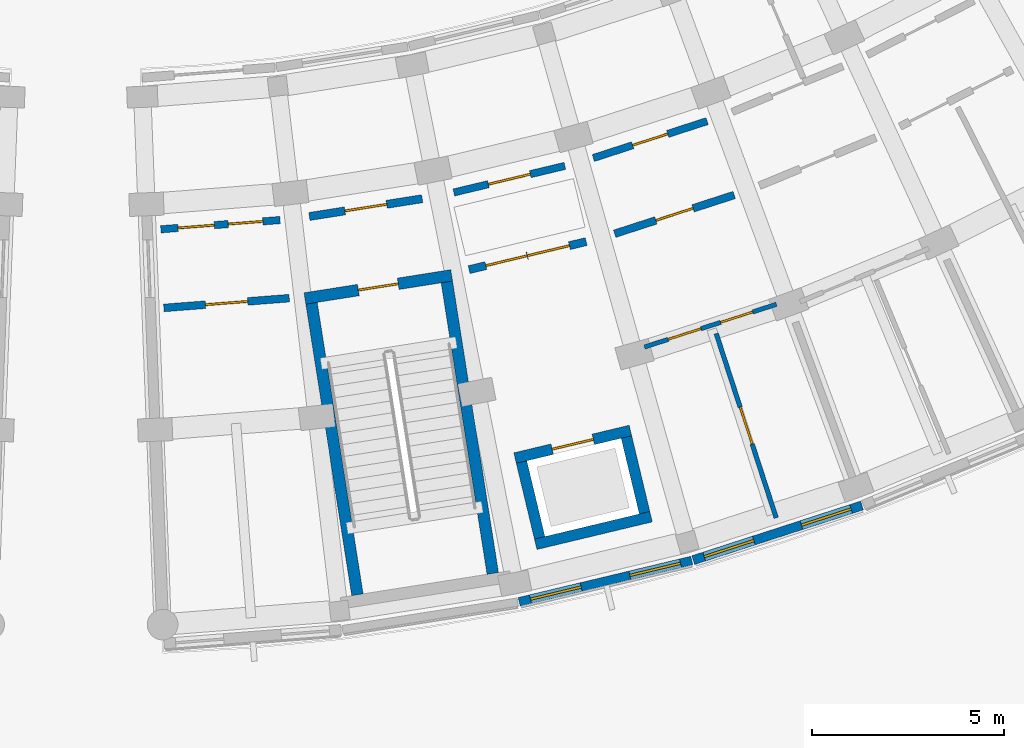
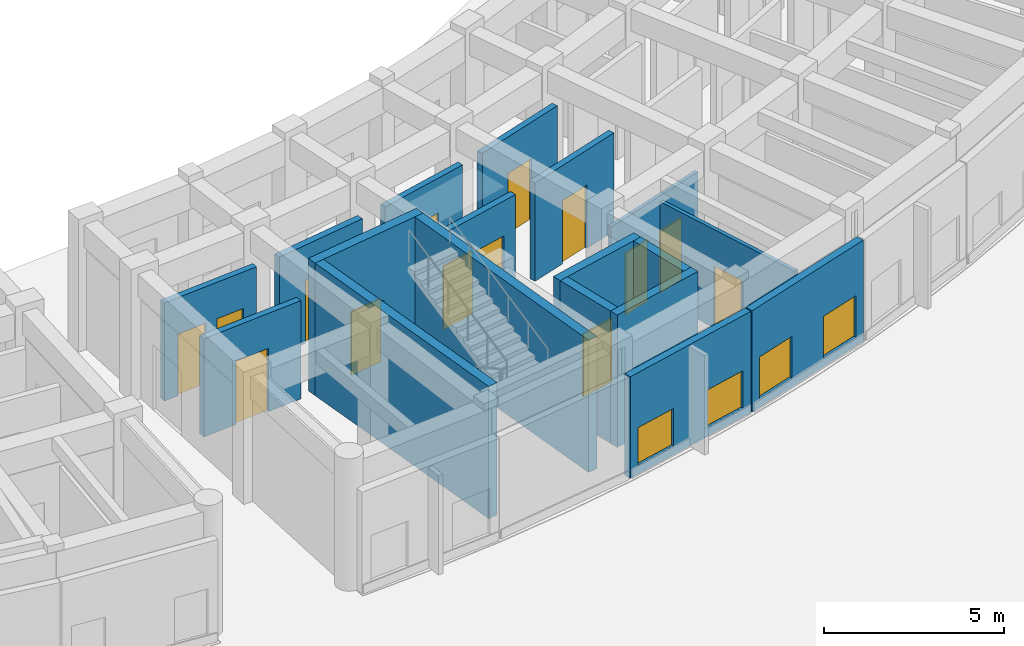
# One storey, part 42 of 61: 18 walls, 14 doors, 4 windows, 18 openings.
"""IFC4 building model written with IfcOpenShell, lengths in metres."""

from ifc_helpers import new_model, si_unit, direction, frame, frame_2d, origin, place, context, subcontext, project, spatial, rectangle, extrude, material, layer, layer_set, type_object, element, fill, save


model = new_model("IFC4")

# Units and contexts
model_context = context("Model", 3, precision=1e-05, world=origin(), true_north=direction((0.0, 1.0)))
body_context = subcontext(model_context, "Body", "Model", "MODEL_VIEW")
ifc_project = project(units=[si_unit("LENGTHUNIT", "METRE"), si_unit("AREAUNIT", "SQUARE_METRE"), si_unit("VOLUMEUNIT", "CUBIC_METRE"), si_unit("PLANEANGLEUNIT", "RADIAN"), si_unit("MASSUNIT", "GRAM", prefix="KILO")], contexts=[model_context])

# Site, building, storey
site_placement = place(None, origin())
site = spatial("IfcSite", under=ifc_project, at=site_placement, CompositionType="ELEMENT")
building_placement = place(site_placement, origin())
building = spatial("IfcBuilding", under=site, at=building_placement, Name="Zimvara Arc Housing Community", CompositionType="ELEMENT")
storey_placement = place(building_placement, origin())
storey = spatial("IfcBuildingStorey", under=building, at=storey_placement, Name="L00", CompositionType="ELEMENT", Elevation=0.0)

# Wall, openings, windows
ifc_material_1 = material(Name="Board-Marked Fair-Faced Concrete C35/45", Category="concrete")
ifc_layer_1 = layer(ifc_material_1, 0.22998046875)
ifc_layer_set_1 = layer_set([ifc_layer_1], Name="Board-Marked Fair-Faced Concrete C35/45")
wall_type_1 = type_object("IfcWallType", Name="EWL-CONC-230", PredefinedType="SOLIDWALL", material=ifc_layer_set_1)
wall_1_placement = place(storey_placement, frame((137.533203125, 51.615478515625, 0.0), z_axis=(0.0, 0.0, 1.0), x_axis=(0.972571099607, 0.232605795735, 0.0)))
wall_1 = element("IfcWall", 1, at=wall_1_placement, inside=storey, type_object=wall_type_1, Name="ewall:blkD:L00:out:b2", PredefinedType="SOLIDWALL", context=body_context, shape_type="SweptSolid", body=[
    extrude(rectangle(XDim=4.622314453125, YDim=0.22998046875, at=frame_2d((2.31103515625, 0.0))), origin(), (0.0, 0.0, 1.0), 3.449951171875),
])
opening_1_placement = place(wall_1_placement, frame((0.300048828125, 0.0, 0.300048828125)))
opening_1 = element("IfcOpeningElement", 2, at=opening_1_placement, cuts=wall_1, Name="Opening W42", PredefinedType="OPENING", context=body_context, shape_type="SweptSolid", body=[
    extrude(rectangle(XDim=1.360107421875, YDim=1.280029296875, at=frame_2d((0.68017578125, 0.64013671875))), frame((0.0, 0.125, 0.0), z_axis=(0.0, -1.0, 0.0), x_axis=(1.0, 0.0, 0.0)), (0.0, 0.0, 1.0), 0.25),
])
opening_2_placement = place(wall_1_placement, frame((2.96240234375, 0.0, 0.300048828125)))
opening_2 = element("IfcOpeningElement", 3, at=opening_2_placement, cuts=wall_1, Name="Opening W42", PredefinedType="OPENING", context=body_context, shape_type="SweptSolid", body=[
    extrude(rectangle(XDim=1.360107421875, YDim=1.280029296875, at=frame_2d((0.68017578125, 0.64013671875))), frame((0.0, 0.125, 0.0), z_axis=(0.0, -1.0, 0.0), x_axis=(1.0, 0.0, 0.0)), (0.0, 0.0, 1.0), 0.25),
])
ifc_material_2 = material(Name="Solar Control Low-E Double Glazing", Category="glass")
window_type_1 = type_object("IfcWindowType", Name="WIN-MOD-1360x1280", PartitioningType="DOUBLE_PANEL_VERTICAL", PredefinedType="WINDOW", material=ifc_material_2)
window_1_placement = place(opening_1_placement, origin())
window_1 = element("IfcWindow", 4, at=window_1_placement, inside=storey, type_object=window_type_1, Name="win:blkD:L00:out:b2:1", OverallHeight=1.280029296875, OverallWidth=1.360107421875, PartitioningType="DOUBLE_PANEL_VERTICAL", PredefinedType="WINDOW", context=body_context, shape_type="SweptSolid", body=[
    extrude(rectangle(XDim=1.360107421875, YDim=1.280029296875, at=frame_2d((0.68017578125, 0.64013671875))), frame((0.0, 0.030029296875, 0.0), z_axis=(0.0, -1.0, 0.0), x_axis=(1.0, 0.0, 0.0)), (0.0, 0.0, 1.0), 0.06005859375),
])
fill(opening_1, window_1)
window_2_placement = place(opening_2_placement, origin())
window_2 = element("IfcWindow", 5, at=window_2_placement, inside=storey, type_object=window_type_1, Name="win:blkD:L00:out:b2:2", OverallHeight=1.280029296875, OverallWidth=1.360107421875, PartitioningType="DOUBLE_PANEL_VERTICAL", PredefinedType="WINDOW", context=body_context, shape_type="SweptSolid", body=[
    extrude(rectangle(XDim=1.360107421875, YDim=1.280029296875, at=frame_2d((0.68017578125, 0.64013671875))), frame((0.0, 0.030029296875, 0.0), z_axis=(0.0, -1.0, 0.0), x_axis=(1.0, 0.0, 0.0)), (0.0, 0.0, 1.0), 0.06005859375),
])
fill(opening_2, window_2)

ifc_material_3 = material(Name="Board-Marked Fair-Faced Concrete C35/45", Category="concrete")
ifc_layer_2 = layer(ifc_material_3, 0.239990234375)
ifc_layer_set_2 = layer_set([ifc_layer_2], Name="Board-Marked Fair-Faced Concrete C35/45")
wall_type_2 = type_object("IfcWallType", Name="EWL-CONC-240", PredefinedType="SOLIDWALL", material=ifc_layer_set_2)
wall_2_placement = place(storey_placement, frame((142.0673828125, 52.701416015625, 0.0), z_axis=(0.0, 0.0, 1.0), x_axis=(0.951311584867, 0.308230868826, 0.0)))
wall_2 = element("IfcWall", 6, at=wall_2_placement, inside=storey, type_object=wall_type_2, Name="ewall:blkD:L00:out:b3", PredefinedType="SOLIDWALL", context=body_context, shape_type="SweptSolid", body=[
    extrude(rectangle(XDim=4.62255859375, YDim=0.239990234375, at=frame_2d((2.311279296875, 0.0))), origin(), (0.0, 0.0, 1.0), 3.449951171875),
])
opening_3_placement = place(wall_2_placement, frame((0.300048828125, 0.0, 0.300048828125)))
opening_3 = element("IfcOpeningElement", 7, at=opening_3_placement, cuts=wall_2, Name="Opening W43", PredefinedType="OPENING", context=body_context, shape_type="SweptSolid", body=[
    extrude(rectangle(XDim=1.360107421875, YDim=1.419921875, at=frame_2d((0.68017578125, 0.7099609375))), frame((0.0, 0.1298828125, 0.0), z_axis=(0.0, -1.0, 0.0), x_axis=(1.0, 0.0, 0.0)), (0.0, 0.0, 1.0), 0.260009765625),
])
opening_4_placement = place(wall_2_placement, frame((2.96240234375, 0.0, 0.300048828125)))
opening_4 = element("IfcOpeningElement", 8, at=opening_4_placement, cuts=wall_2, Name="Opening W43", PredefinedType="OPENING", context=body_context, shape_type="SweptSolid", body=[
    extrude(rectangle(XDim=1.360107421875, YDim=1.419921875, at=frame_2d((0.68017578125, 0.7099609375))), frame((0.0, 0.1298828125, 0.0), z_axis=(0.0, -1.0, 0.0), x_axis=(1.0, 0.0, 0.0)), (0.0, 0.0, 1.0), 0.260009765625),
])
ifc_material_4 = material(Name="Solar Control Low-E Double Glazing", Category="glass")
window_type_2 = type_object("IfcWindowType", Name="WIN-MOD-1360x1420", PartitioningType="DOUBLE_PANEL_VERTICAL", PredefinedType="WINDOW", material=ifc_material_4)
window_3_placement = place(opening_3_placement, origin())
window_3 = element("IfcWindow", 9, at=window_3_placement, inside=storey, type_object=window_type_2, Name="win:blkD:L00:out:b3:1", OverallHeight=1.419921875, OverallWidth=1.360107421875, PartitioningType="DOUBLE_PANEL_VERTICAL", PredefinedType="WINDOW", context=body_context, shape_type="SweptSolid", body=[
    extrude(rectangle(XDim=1.360107421875, YDim=1.419921875, at=frame_2d((0.68017578125, 0.7099609375))), frame((0.0, 0.030029296875, 0.0), z_axis=(0.0, -1.0, 0.0), x_axis=(1.0, 0.0, 0.0)), (0.0, 0.0, 1.0), 0.06005859375),
])
fill(opening_3, window_3)
window_4_placement = place(opening_4_placement, origin())
window_4 = element("IfcWindow", 10, at=window_4_placement, inside=storey, type_object=window_type_2, Name="win:blkD:L00:out:b3:2", OverallHeight=1.419921875, OverallWidth=1.360107421875, PartitioningType="DOUBLE_PANEL_VERTICAL", PredefinedType="WINDOW", context=body_context, shape_type="SweptSolid", body=[
    extrude(rectangle(XDim=1.360107421875, YDim=1.419921875, at=frame_2d((0.68017578125, 0.7099609375))), frame((0.0, 0.030029296875, 0.0), z_axis=(0.0, -1.0, 0.0), x_axis=(1.0, 0.0, 0.0)), (0.0, 0.0, 1.0), 0.06005859375),
])
fill(opening_4, window_4)

# Wall, opening, door
ifc_material_5 = material(Name="Concrete C35/45", Category="concrete")
ifc_layer_3 = layer(ifc_material_5, 0.2099609375)
ifc_layer_set_3 = layer_set([ifc_layer_3], Name="Concrete C35/45")
wall_type_3 = type_object("IfcWallType", Name="IWL-CCF-210", PredefinedType="SOLIDWALL", material=ifc_layer_set_3)
wall_3_placement = place(storey_placement, frame((132.065185546875, 61.6572265625, 0.0), z_axis=(0.0, 0.0, 1.0), x_axis=(0.987816121487, 0.155625544594, 0.0)))
wall_3 = element("IfcWall", 11, at=wall_3_placement, inside=storey, type_object=wall_type_3, Name="iwall:blkD:L00:ccf_div:b1", PredefinedType="SOLIDWALL", context=body_context, shape_type="SweptSolid", body=[
    extrude(rectangle(XDim=2.97607421875, YDim=0.2099609375, at=frame_2d((1.488037109375, 0.0))), origin(), (0.0, 0.0, 1.0), 3.340087890625),
])
opening_5_placement = place(wall_3_placement, frame((0.93798828125, 0.0, 0.0)))
opening_5 = element("IfcOpeningElement", 12, at=opening_5_placement, cuts=wall_3, Name="Opening FD-CCF1", PredefinedType="OPENING", context=body_context, shape_type="SweptSolid", body=[
    extrude(rectangle(XDim=1.10009765625, YDim=2.14990234375, at=frame_2d((0.550048828125, 1.074951171875))), frame((0.0, 0.114990234375, 0.0), z_axis=(0.0, -1.0, 0.0), x_axis=(1.0, 0.0, 0.0)), (0.0, 0.0, 1.0), 0.22998046875),
])
ifc_material_6 = material(Name="Anodised Aluminium AW-6063", Category="aluminium")
door_type_1 = type_object("IfcDoorType", Name="IDR-CCF-1100x2150", OperationType="NOTDEFINED", PredefinedType="DOOR", material=ifc_material_6)
door_1_placement = place(opening_5_placement, origin())
door_1 = element("IfcDoor", 13, at=door_1_placement, inside=storey, type_object=door_type_1, Name="idoor:blkD:L00:ccf_in:b1", OperationType="SINGLE_SWING_RIGHT", OverallHeight=2.14990234375, OverallWidth=1.10009765625, PredefinedType="DOOR", context=body_context, shape_type="SweptSolid", body=[
    extrude(rectangle(XDim=1.10009765625, YDim=2.14990234375, at=frame_2d((0.550048828125, 1.074951171875))), frame((0.0, 0.02490234375, 0.0), z_axis=(0.0, -1.0, 0.0), x_axis=(1.0, 0.0, 0.0)), (0.0, 0.0, 1.0), 0.050048828125),
])
fill(opening_5, door_1)

# Wall, openings, doors
wall_4_placement = place(storey_placement, frame((136.2265625, 60.272216796875, 0.0), z_axis=(0.0, 0.0, 1.0), x_axis=(0.972564346632, 0.232634029456, 0.0)))
wall_4 = element("IfcWall", 14, at=wall_4_placement, inside=storey, type_object=wall_type_3, Name="iwall:blkD:L00:ll_div:b2", PredefinedType="SOLIDWALL", context=body_context, shape_type="SweptSolid", body=[
    extrude(rectangle(XDim=3.136962890625, YDim=0.2099609375, at=frame_2d((1.568359375, 0.0))), origin(), (0.0, 0.0, 1.0), 3.340087890625),
])
opening_6_placement = place(wall_4_placement, frame((0.449951171875, 0.0, 0.0)))
opening_6 = element("IfcOpeningElement", 15, at=opening_6_placement, cuts=wall_4, Name="Opening FD-CCF1", PredefinedType="OPENING", context=body_context, shape_type="SweptSolid", body=[
    extrude(rectangle(XDim=1.10009765625, YDim=2.14990234375, at=frame_2d((0.550048828125, 1.074951171875))), frame((0.0, 0.114990234375, 0.0), z_axis=(0.0, -1.0, 0.0), x_axis=(1.0, 0.0, 0.0)), (0.0, 0.0, 1.0), 0.22998046875),
])
opening_7_placement = place(wall_4_placement, frame((1.56689453125, 0.0, 0.0)))
opening_7 = element("IfcOpeningElement", 16, at=opening_7_placement, cuts=wall_4, Name="Opening D07", PredefinedType="OPENING", context=body_context, shape_type="SweptSolid", body=[
    extrude(rectangle(XDim=1.1201171875, YDim=2.14990234375, at=frame_2d((0.56005859375, 1.074951171875))), frame((0.0, 0.114990234375, 0.0), z_axis=(0.0, -1.0, 0.0), x_axis=(1.0, 0.0, 0.0)), (0.0, 0.0, 1.0), 0.22998046875),
])
ifc_material_7 = material(Name="Mozambican Hardwood", Category="wood")
door_type_2 = type_object("IfcDoorType", Name="IDR-AMN-1120x2150", OperationType="NOTDEFINED", PredefinedType="DOOR", material=ifc_material_7)
door_2_placement = place(opening_7_placement, origin())
door_2 = element("IfcDoor", 17, at=door_2_placement, inside=storey, type_object=door_type_2, Name="idoor:blkD:L00:rs_in:b2", OperationType="SINGLE_SWING_RIGHT", OverallHeight=2.14990234375, OverallWidth=1.1201171875, PredefinedType="DOOR", context=body_context, shape_type="SweptSolid", body=[
    extrude(rectangle(XDim=1.1201171875, YDim=2.14990234375, at=frame_2d((0.56005859375, 1.074951171875))), frame((0.0, 0.02490234375, 0.0), z_axis=(0.0, -1.0, 0.0), x_axis=(1.0, 0.0, 0.0)), (0.0, 0.0, 1.0), 0.050048828125),
])
fill(opening_7, door_2)
door_3_placement = place(opening_6_placement, origin())
door_3 = element("IfcDoor", 18, at=door_3_placement, inside=storey, type_object=door_type_1, Name="idoor:blkD:L00:ll_in:b2", OperationType="SINGLE_SWING_LEFT", OverallHeight=2.14990234375, OverallWidth=1.10009765625, PredefinedType="DOOR", context=body_context, shape_type="SweptSolid", body=[
    extrude(rectangle(XDim=1.10009765625, YDim=2.14990234375, at=frame_2d((0.550048828125, 1.074951171875))), frame((0.0, 0.02490234375, 0.0), z_axis=(0.0, -1.0, 0.0), x_axis=(1.0, 0.0, 0.0)), (0.0, 0.0, 1.0), 0.050048828125),
])
fill(opening_6, door_3)

ifc_material_8 = material(Name="Concrete C35/45", Category="concrete")
ifc_layer_4 = layer(ifc_material_8, 0.18994140625)
ifc_layer_set_4 = layer_set([ifc_layer_4], Name="Concrete C35/45")
wall_type_4 = type_object("IfcWallType", Name="IWL-CORR-190", PredefinedType="SOLIDWALL", material=ifc_layer_set_4)
wall_5_placement = place(storey_placement, frame((128.194580078125, 61.322998046875, 0.0), z_axis=(0.0, 0.0, 1.0), x_axis=(0.996987280187, 0.077565218655, 0.0)))
wall_5 = element("IfcWall", 19, at=wall_5_placement, inside=storey, type_object=wall_type_4, Name="iwall:blkD:L00:corr_in:b0", PredefinedType="SOLIDWALL", context=body_context, shape_type="SweptSolid", body=[
    extrude(rectangle(XDim=3.115966796875, YDim=0.18994140625, at=frame_2d((1.55810546875, 0.0))), origin(), (0.0, 0.0, 1.0), 3.340087890625),
])
opening_8_placement = place(wall_5_placement, frame((0.449951171875, 0.0, 0.0)))
opening_8 = element("IfcOpeningElement", 20, at=opening_8_placement, cuts=wall_5, Name="Opening D06", PredefinedType="OPENING", context=body_context, shape_type="SweptSolid", body=[
    extrude(rectangle(XDim=0.949951171875, YDim=2.10009765625, at=frame_2d((0.47509765625, 1.050048828125))), frame((0.0, 0.10498046875, 0.0), z_axis=(0.0, -1.0, 0.0), x_axis=(1.0, 0.0, 0.0)), (0.0, 0.0, 1.0), 0.2099609375),
])
opening_9_placement = place(wall_5_placement, frame((1.76611328125, 0.0, 0.0)))
opening_9 = element("IfcOpeningElement", 21, at=opening_9_placement, cuts=wall_5, Name="Opening D01", PredefinedType="OPENING", context=body_context, shape_type="SweptSolid", body=[
    extrude(rectangle(XDim=0.89990234375, YDim=2.10009765625, at=frame_2d((0.449951171875, 1.050048828125))), frame((0.0, 0.10498046875, 0.0), z_axis=(0.0, -1.0, 0.0), x_axis=(1.0, 0.0, 0.0)), (0.0, 0.0, 1.0), 0.2099609375),
])
ifc_material_9 = material(Name="Mozambican Hardwood", Category="wood")
door_type_3 = type_object("IfcDoorType", Name="IDR-AWC-0950x2100", OperationType="NOTDEFINED", PredefinedType="DOOR", material=ifc_material_9)
door_4_placement = place(opening_8_placement, origin())
door_4 = element("IfcDoor", 22, at=door_4_placement, inside=storey, type_object=door_type_3, Name="idoor:blkD:L00:awc_d", OperationType="SINGLE_SWING_RIGHT", OverallHeight=2.10009765625, OverallWidth=0.949951171875, PredefinedType="DOOR", context=body_context, shape_type="SweptSolid", body=[
    extrude(rectangle(XDim=0.949951171875, YDim=2.10009765625, at=frame_2d((0.47509765625, 1.050048828125))), frame((0.0, 0.02490234375, 0.0), z_axis=(0.0, -1.0, 0.0), x_axis=(1.0, 0.0, 0.0)), (0.0, 0.0, 1.0), 0.050048828125),
])
fill(opening_8, door_4)
ifc_material_10 = material(Name="Mozambican Hardwood", Category="wood")
door_type_4 = type_object("IfcDoorType", Name="IDR-RM-0900x2100", OperationType="NOTDEFINED", PredefinedType="DOOR", material=ifc_material_10)
door_5_placement = place(opening_9_placement, origin())
door_5 = element("IfcDoor", 23, at=door_5_placement, inside=storey, type_object=door_type_4, Name="idoor:blkD:L00:mail_d", OperationType="SINGLE_SWING_LEFT", OverallHeight=2.10009765625, OverallWidth=0.89990234375, PredefinedType="DOOR", context=body_context, shape_type="SweptSolid", body=[
    extrude(rectangle(XDim=0.89990234375, YDim=2.10009765625, at=frame_2d((0.449951171875, 1.050048828125))), frame((0.0, 0.02490234375, 0.0), z_axis=(0.0, -1.0, 0.0), x_axis=(1.0, 0.0, 0.0)), (0.0, 0.0, 1.0), 0.050048828125),
])
fill(opening_9, door_5)

# Wall, opening, door
wall_6_placement = place(storey_placement, frame((135.828369140625, 62.283203125, 0.0), z_axis=(0.0, 0.0, 1.0), x_axis=(0.972558314217, 0.232659247501, 0.0)))
wall_6 = element("IfcWall", 24, at=wall_6_placement, inside=storey, type_object=wall_type_4, Name="iwall:blkD:L00:ra_div:b2", PredefinedType="SOLIDWALL", context=body_context, shape_type="SweptSolid", body=[
    extrude(rectangle(XDim=2.97607421875, YDim=0.18994140625, at=frame_2d((1.488037109375, 0.0))), origin(), (0.0, 0.0, 1.0), 3.340087890625),
])
opening_10_placement = place(wall_6_placement, frame((0.927978515625, 0.0, 0.0)))
opening_10 = element("IfcOpeningElement", 25, at=opening_10_placement, cuts=wall_6, Name="Opening D07", PredefinedType="OPENING", context=body_context, shape_type="SweptSolid", body=[
    extrude(rectangle(XDim=1.1201171875, YDim=2.14990234375, at=frame_2d((0.56005859375, 1.074951171875))), frame((0.0, 0.10498046875, 0.0), z_axis=(0.0, -1.0, 0.0), x_axis=(1.0, 0.0, 0.0)), (0.0, 0.0, 1.0), 0.2099609375),
])
door_6_placement = place(opening_10_placement, origin())
door_6 = element("IfcDoor", 26, at=door_6_placement, inside=storey, type_object=door_type_2, Name="idoor:blkD:L00:ra_d:b2", OperationType="SINGLE_SWING_LEFT", OverallHeight=2.14990234375, OverallWidth=1.1201171875, PredefinedType="DOOR", context=body_context, shape_type="SweptSolid", body=[
    extrude(rectangle(XDim=1.1201171875, YDim=2.14990234375, at=frame_2d((0.56005859375, 1.074951171875))), frame((0.0, 0.02490234375, 0.0), z_axis=(0.0, -1.0, 0.0), x_axis=(1.0, 0.0, 0.0)), (0.0, 0.0, 1.0), 0.050048828125),
])
fill(opening_10, door_6)

wall_7_placement = place(storey_placement, frame((139.464111328125, 63.18115234375, 0.0), z_axis=(0.0, 0.0, 1.0), x_axis=(0.951336474448, 0.308154040027, 0.0)))
wall_7 = element("IfcWall", 27, at=wall_7_placement, inside=storey, type_object=wall_type_4, Name="iwall:blkD:L00:corr_in:b3", PredefinedType="SOLIDWALL", context=body_context, shape_type="SweptSolid", body=[
    extrude(rectangle(XDim=3.115966796875, YDim=0.18994140625, at=frame_2d((1.55810546875, 0.0))), origin(), (0.0, 0.0, 1.0), 3.340087890625),
])
opening_11_placement = place(wall_7_placement, frame((1.077880859375, 0.0, 0.0)))
opening_11 = element("IfcOpeningElement", 28, at=opening_11_placement, cuts=wall_7, Name="Opening D04", PredefinedType="OPENING", context=body_context, shape_type="SweptSolid", body=[
    extrude(rectangle(XDim=0.9599609375, YDim=2.10009765625, at=frame_2d((0.47998046875, 1.050048828125))), frame((0.0, 0.10498046875, 0.0), z_axis=(0.0, -1.0, 0.0), x_axis=(1.0, 0.0, 0.0)), (0.0, 0.0, 1.0), 0.2099609375),
])
ifc_material_11 = material(Name="Mozambican Hardwood", Category="wood")
door_type_5 = type_object("IfcDoorType", Name="IDR-RM-0960x2100", OperationType="NOTDEFINED", PredefinedType="DOOR", material=ifc_material_11)
door_7_placement = place(opening_11_placement, origin())
door_7 = element("IfcDoor", 29, at=door_7_placement, inside=storey, type_object=door_type_5, Name="idoor:blkD:L00:in_rm:b3", OperationType="SINGLE_SWING_LEFT", OverallHeight=2.10009765625, OverallWidth=0.9599609375, PredefinedType="DOOR", context=body_context, shape_type="SweptSolid", body=[
    extrude(rectangle(XDim=0.9599609375, YDim=2.10009765625, at=frame_2d((0.47998046875, 1.050048828125))), frame((0.0, 0.02490234375, 0.0), z_axis=(0.0, -1.0, 0.0), x_axis=(1.0, 0.0, 0.0)), (0.0, 0.0, 1.0), 0.050048828125),
])
fill(opening_11, door_7)

ifc_material_12 = material(Name="Concrete C35/45", Category="concrete")
ifc_layer_5 = layer(ifc_material_12, 0.199951171875)
ifc_layer_set_5 = layer_set([ifc_layer_5], Name="Concrete C35/45")
wall_type_5 = type_object("IfcWallType", Name="IWL-CORR-200", PredefinedType="SOLIDWALL", material=ifc_layer_set_5)
wall_8_placement = place(storey_placement, frame((128.273193359375, 59.2744140625, 0.0), z_axis=(0.0, 0.0, 1.0), x_axis=(0.996982624396, 0.077625038827, 0.0)))
wall_8 = element("IfcWall", 30, at=wall_8_placement, inside=storey, type_object=wall_type_5, Name="iwall:blkD:L00:corr_out:b0", PredefinedType="SOLIDWALL", context=body_context, shape_type="SweptSolid", body=[
    extrude(rectangle(XDim=3.27734375, YDim=0.199951171875, at=frame_2d((1.638671875, 0.0))), origin(), (0.0, 0.0, 1.0), 3.340087890625),
])
opening_12_placement = place(wall_8_placement, frame((1.08837890625, 0.0, 0.0)))
opening_12 = element("IfcOpeningElement", 31, at=opening_12_placement, cuts=wall_8, Name="Opening FD-CCF1", PredefinedType="OPENING", context=body_context, shape_type="SweptSolid", body=[
    extrude(rectangle(XDim=1.10009765625, YDim=2.14990234375, at=frame_2d((0.550048828125, 1.074951171875))), frame((0.0, 0.10986328125, 0.0), z_axis=(0.0, -1.0, 0.0), x_axis=(1.0, 0.0, 0.0)), (0.0, 0.0, 1.0), 0.219970703125),
])
door_8_placement = place(opening_12_placement, origin())
door_8 = element("IfcDoor", 32, at=door_8_placement, inside=storey, type_object=door_type_1, Name="idoor:blkD:L00:b0_corr", OperationType="SINGLE_SWING_LEFT", OverallHeight=2.14990234375, OverallWidth=1.10009765625, PredefinedType="DOOR", context=body_context, shape_type="SweptSolid", body=[
    extrude(rectangle(XDim=1.10009765625, YDim=2.14990234375, at=frame_2d((0.550048828125, 1.074951171875))), frame((0.0, 0.02490234375, 0.0), z_axis=(0.0, -1.0, 0.0), x_axis=(1.0, 0.0, 0.0)), (0.0, 0.0, 1.0), 0.050048828125),
])
fill(opening_12, door_8)

wall_9_placement = place(storey_placement, frame((140.018798828125, 61.20751953125, 0.0), z_axis=(0.0, 0.0, 1.0), x_axis=(0.951323803878, 0.308193154005, 0.0)))
wall_9 = element("IfcWall", 33, at=wall_9_placement, inside=storey, type_object=wall_type_5, Name="iwall:blkD:L00:corr_out:b3", PredefinedType="SOLIDWALL", context=body_context, shape_type="SweptSolid", body=[
    extrude(rectangle(XDim=3.277099609375, YDim=0.199951171875, at=frame_2d((1.638671875, 0.0))), origin(), (0.0, 0.0, 1.0), 3.340087890625),
])
opening_13_placement = place(wall_9_placement, frame((1.12841796875, 0.0, 0.0)))
opening_13 = element("IfcOpeningElement", 34, at=opening_13_placement, cuts=wall_9, Name="Opening FD-FL2", PredefinedType="OPENING", context=body_context, shape_type="SweptSolid", body=[
    extrude(rectangle(XDim=1.02001953125, YDim=2.14990234375, at=frame_2d((0.510009765625, 1.074951171875))), frame((0.0, 0.10986328125, 0.0), z_axis=(0.0, -1.0, 0.0), x_axis=(1.0, 0.0, 0.0)), (0.0, 0.0, 1.0), 0.219970703125),
])
ifc_material_13 = material(Name="Mozambican Hardwood", Category="wood")
door_type_6 = type_object("IfcDoorType", Name="IDR-FLAT-1020x2150", OperationType="NOTDEFINED", PredefinedType="DOOR", material=ifc_material_13)
door_9_placement = place(opening_13_placement, origin())
door_9 = element("IfcDoor", 35, at=door_9_placement, inside=storey, type_object=door_type_6, Name="idoor:blkD:L00:flat:b3", OperationType="SINGLE_SWING_RIGHT", OverallHeight=2.14990234375, OverallWidth=1.02001953125, PredefinedType="DOOR", context=body_context, shape_type="SweptSolid", body=[
    extrude(rectangle(XDim=1.02001953125, YDim=2.14990234375, at=frame_2d((0.510009765625, 1.074951171875))), frame((0.0, 0.02490234375, 0.0), z_axis=(0.0, -1.0, 0.0), x_axis=(1.0, 0.0, 0.0)), (0.0, 0.0, 1.0), 0.050048828125),
])
fill(opening_13, door_9)

# Wall, openings, doors
ifc_material_14 = material(Name="Painted Acoustic Plasterboard")
ifc_layer_6 = layer(ifc_material_14, 0.114990234375)
ifc_layer_set_6 = layer_set([ifc_layer_6], Name="Painted Acoustic Plasterboard")
wall_type_6 = type_object("IfcWallType", Name="IWL-PART-115", PredefinedType="PARTITIONING", material=ifc_layer_set_6)
wall_10_placement = place(storey_placement, frame((140.796630859375, 58.255859375, 0.0), z_axis=(0.0, 0.0, 1.0), x_axis=(0.951329312261, 0.308176150331, 0.0)))
wall_10 = element("IfcWall", 36, at=wall_10_placement, inside=storey, type_object=wall_type_6, Name="iwall:blkD:L00:srv:b3", PredefinedType="PARTITIONING", context=body_context, shape_type="SweptSolid", body=[
    extrude(rectangle(XDim=3.616455078125, YDim=0.114990234375, at=frame_2d((1.80810546875, 0.0))), origin(), (0.0, 0.0, 1.0), 3.340087890625),
])
opening_14_placement = place(wall_10_placement, frame((0.64990234375, 0.0, 0.0)))
opening_14 = element("IfcOpeningElement", 37, at=opening_14_placement, cuts=wall_10, Name="Opening D01", PredefinedType="OPENING", context=body_context, shape_type="SweptSolid", body=[
    extrude(rectangle(XDim=0.89990234375, YDim=2.10009765625, at=frame_2d((0.449951171875, 1.050048828125))), frame((0.0, 0.0673828125, 0.0), z_axis=(0.0, -1.0, 0.0), x_axis=(1.0, 0.0, 0.0)), (0.0, 0.0, 1.0), 0.135009765625),
])
opening_15_placement = place(wall_10_placement, frame((2.08642578125, 0.0, 0.0)))
opening_15 = element("IfcOpeningElement", 38, at=opening_15_placement, cuts=wall_10, Name="Opening D05", PredefinedType="OPENING", context=body_context, shape_type="SweptSolid", body=[
    extrude(rectangle(XDim=0.8798828125, YDim=2.10009765625, at=frame_2d((0.43994140625, 1.050048828125))), frame((0.0, 0.0673828125, 0.0), z_axis=(0.0, -1.0, 0.0), x_axis=(1.0, 0.0, 0.0)), (0.0, 0.0, 1.0), 0.135009765625),
])
door_10_placement = place(opening_14_placement, origin())
door_10 = element("IfcDoor", 39, at=door_10_placement, inside=storey, type_object=door_type_4, Name="idoor:blkD:L00:kit_liv:b3", OperationType="SINGLE_SWING_RIGHT", OverallHeight=2.10009765625, OverallWidth=0.89990234375, PredefinedType="DOOR", context=body_context, shape_type="SweptSolid", body=[
    extrude(rectangle(XDim=0.89990234375, YDim=2.10009765625, at=frame_2d((0.449951171875, 1.050048828125))), frame((0.0, 0.02490234375, 0.0), z_axis=(0.0, -1.0, 0.0), x_axis=(1.0, 0.0, 0.0)), (0.0, 0.0, 1.0), 0.050048828125),
])
fill(opening_14, door_10)
ifc_material_15 = material(Name="Mozambican Hardwood", Category="wood")
door_type_7 = type_object("IfcDoorType", Name="IDR-WC-0880x2100", OperationType="NOTDEFINED", PredefinedType="DOOR", material=ifc_material_15)
door_11_placement = place(opening_15_placement, origin())
door_11 = element("IfcDoor", 40, at=door_11_placement, inside=storey, type_object=door_type_7, Name="idoor:blkD:L00:bath_d:b3", OperationType="SINGLE_SWING_LEFT", OverallHeight=2.10009765625, OverallWidth=0.8798828125, PredefinedType="DOOR", context=body_context, shape_type="SweptSolid", body=[
    extrude(rectangle(XDim=0.8798828125, YDim=2.10009765625, at=frame_2d((0.43994140625, 1.050048828125))), frame((0.0, 0.02490234375, 0.0), z_axis=(0.0, -1.0, 0.0), x_axis=(1.0, 0.0, 0.0)), (0.0, 0.0, 1.0), 0.050048828125),
])
fill(opening_15, door_11)

# Wall, opening, door
ifc_material_16 = material(Name="Painted Acoustic Plasterboard")
ifc_layer_7 = layer(ifc_material_16, 0.1201171875)
ifc_layer_set_7 = layer_set([ifc_layer_7], Name="Painted Acoustic Plasterboard")
wall_type_7 = type_object("IfcWallType", Name="IWL-PART-120", PredefinedType="PARTITIONING", material=ifc_layer_set_7)
wall_11_placement = place(storey_placement, frame((142.665283203125, 58.607666015625, 0.0), z_axis=(0.0, 0.0, 1.0), x_axis=(0.309592146544, -0.950869445717, 0.0)))
wall_11 = element("IfcWall", 41, at=wall_11_placement, inside=storey, type_object=wall_type_7, Name="iwall:blkD:L00:bed_div:b3", PredefinedType="PARTITIONING", context=body_context, shape_type="SweptSolid", body=[
    extrude(rectangle(XDim=5.050048828125, YDim=0.1201171875, at=frame_2d((2.52490234375, 0.0))), origin(), (0.0, 0.0, 1.0), 3.340087890625),
])
opening_16_placement = place(wall_11_placement, frame((2.02001953125, 0.0, 0.0)))
opening_16 = element("IfcOpeningElement", 42, at=opening_16_placement, cuts=wall_11, Name="Opening D15", PredefinedType="OPENING", context=body_context, shape_type="SweptSolid", body=[
    extrude(rectangle(XDim=1.010009765625, YDim=2.10009765625, at=frame_2d((0.5048828125, 1.050048828125))), frame((0.0, 0.070068359375, 0.0), z_axis=(0.0, -1.0, 0.0), x_axis=(1.0, 0.0, 0.0)), (0.0, 0.0, 1.0), 0.14013671875),
])
ifc_material_17 = material(Name="Mozambican Hardwood", Category="wood")
door_type_8 = type_object("IfcDoorType", Name="IDR-MOD-1010x2160", OperationType="NOTDEFINED", PredefinedType="DOOR", material=ifc_material_17)
door_12_placement = place(opening_16_placement, origin())
door_12 = element("IfcDoor", 43, at=door_12_placement, inside=storey, type_object=door_type_8, Name="idoor:blkD:L00:bed_d:b3", OperationType="SINGLE_SWING_RIGHT", OverallHeight=2.10009765625, OverallWidth=1.010009765625, PredefinedType="DOOR", context=body_context, shape_type="SweptSolid", body=[
    extrude(rectangle(XDim=1.010009765625, YDim=2.10009765625, at=frame_2d((0.5048828125, 1.050048828125))), frame((0.0, 0.02490234375, 0.0), z_axis=(0.0, -1.0, 0.0), x_axis=(1.0, 0.0, 0.0)), (0.0, 0.0, 1.0), 0.050048828125),
])
fill(opening_16, door_12)

ifc_material_18 = material(Name="Concrete C40/50", Category="concrete")
ifc_layer_8 = layer(ifc_material_18, 0.280029296875)
ifc_layer_set_8 = layer_set([ifc_layer_8], Name="Concrete C40/50")
wall_type_8 = type_object("IfcWallType", Name="WL-CORE-280", PredefinedType="SHEAR", material=ifc_layer_set_8)
wall_12_placement = place(storey_placement, frame((137.4248046875, 55.3623046875, 0.0), z_axis=(0.0, 0.0, 1.0), x_axis=(0.972573452388, 0.232595958069, 0.0)))
wall_12 = element("IfcWall", 44, at=wall_12_placement, inside=storey, type_object=wall_type_8, Name="lwall:LP-D1:L00:front", PredefinedType="SHEAR", context=body_context, shape_type="SweptSolid", body=[
    extrude(rectangle(XDim=3.090087890625, YDim=0.280029296875, at=frame_2d((1.544921875, 0.0))), origin(), (0.0, 0.0, 1.0), 4.5),
])
opening_17_placement = place(wall_12_placement, frame((0.9951171875, 0.0, 0.0)))
opening_17 = element("IfcOpeningElement", 45, at=opening_17_placement, cuts=wall_12, Name="Opening LD-LP-D1", PredefinedType="OPENING", context=body_context, shape_type="SweptSolid", body=[
    extrude(rectangle(XDim=1.10009765625, YDim=2.14990234375, at=frame_2d((0.550048828125, 1.074951171875))), frame((0.0, 0.14990234375, 0.0), z_axis=(0.0, -1.0, 0.0), x_axis=(1.0, 0.0, 0.0)), (0.0, 0.0, 1.0), 0.300048828125),
])
ifc_material_19 = material(Name="Anodised Aluminium AW-6063", Category="aluminium")
door_type_9 = type_object("IfcDoorType", Name="IDR-LD-1100x2150", OperationType="DOUBLE_DOOR_SLIDING", PredefinedType="DOOR", material=ifc_material_19)
door_13_placement = place(opening_17_placement, origin())
door_13 = element("IfcDoor", 46, at=door_13_placement, inside=storey, type_object=door_type_9, Name="Lift LP-D1 Sliding Landing Door L00", OperationType="DOUBLE_DOOR_SLIDING", OverallHeight=2.14990234375, OverallWidth=1.10009765625, PredefinedType="DOOR", context=body_context, shape_type="SweptSolid", body=[
    extrude(rectangle(XDim=1.10009765625, YDim=2.14990234375, at=frame_2d((0.550048828125, 1.074951171875))), frame((0.0, 0.02490234375, 0.0), z_axis=(0.0, -1.0, 0.0), x_axis=(1.0, 0.0, 0.0)), (0.0, 0.0, 1.0), 0.050048828125),
])
fill(opening_17, door_13)

# Walls
wall_13_placement = place(storey_placement, frame((137.962158203125, 53.11572265625, 0.0), z_axis=(0.0, 0.0, 1.0), x_axis=(0.972573452388, 0.232595958069, 0.0)))
element("IfcWall", 47, at=wall_13_placement, inside=storey, type_object=wall_type_8, Name="lwall:LP-D1:L00:back", PredefinedType="SHEAR", context=body_context, shape_type="SweptSolid", body=[
    extrude(rectangle(XDim=3.090087890625, YDim=0.280029296875, at=frame_2d((1.544921875, 0.0))), origin(), (0.0, 0.0, 1.0), 4.5),
])
for number, where, z_axis, x_axis, name in (
    (48, (137.593505859375, 55.2587890625, 0.0), (0.0, 0.0, 1.0), (0.232590524316, -0.972574751882, 0.0), "lwall:LP-D1:L00:left"),
    (49, (140.326416015625, 55.912353515625, 0.0), (0.0, 0.0, 1.0), (0.232590524316, -0.972574751882, 0.0), "lwall:LP-D1:L00:right"),
):
    element("IfcWall", number, at=place(storey_placement, frame(where, z_axis=z_axis, x_axis=x_axis)), inside=storey, type_object=wall_type_8, Name=name, PredefinedType="SHEAR", context=body_context, shape_type="SweptSolid", body=[
        extrude(rectangle(XDim=2.030029296875, YDim=0.280029296875, at=frame_2d((1.01513671875, 0.0))), origin(), (0.0, 0.0, 1.0), 4.5),
    ])

# Wall, opening, door
ifc_material_20 = material(Name="Concrete C40/50", Category="concrete")
ifc_layer_9 = layer(ifc_material_20, 0.300048828125)
ifc_layer_set_9 = layer_set([ifc_layer_9], Name="Concrete C40/50")
wall_type_9 = type_object("IfcWallType", Name="WL-CORE-300", PredefinedType="SHEAR", material=ifc_layer_set_9)
wall_14_placement = place(storey_placement, frame((131.948974609375, 59.520751953125, 0.0), z_axis=(0.0, 0.0, 1.0), x_axis=(0.98782579805, 0.155564111245, 0.0)))
wall_14 = element("IfcWall", 50, at=wall_14_placement, inside=storey, type_object=wall_type_9, Name="cwall:ST-D1:L00:near", PredefinedType="SHEAR", context=body_context, shape_type="SweptSolid", body=[
    extrude(rectangle(XDim=3.8701171875, YDim=0.300048828125, at=frame_2d((1.93505859375, 0.0))), origin(), (0.0, 0.0, 1.0), 4.5),
])
opening_18_placement = place(wall_14_placement, frame((1.409912109375, 0.0, 0.0)))
opening_18 = element("IfcOpeningElement", 51, at=opening_18_placement, cuts=wall_14, Name="Opening FD-ST2", PredefinedType="OPENING", context=body_context, shape_type="SweptSolid", body=[
    extrude(rectangle(XDim=1.050048828125, YDim=2.14990234375, at=frame_2d((0.52490234375, 1.074951171875))), frame((0.0, 0.159912109375, 0.0), z_axis=(0.0, -1.0, 0.0), x_axis=(1.0, 0.0, 0.0)), (0.0, 0.0, 1.0), 0.320068359375),
])
ifc_material_21 = material(Name="Anodised Aluminium AW-6063", Category="aluminium")
door_type_10 = type_object("IfcDoorType", Name="IDR-ST-1050x2150", OperationType="NOTDEFINED", PredefinedType="DOOR", material=ifc_material_21)
door_14_placement = place(opening_18_placement, origin())
door_14 = element("IfcDoor", 52, at=door_14_placement, inside=storey, type_object=door_type_10, Name="idoor:ST-D1:L00:entry", OperationType="SINGLE_SWING_RIGHT", OverallHeight=2.14990234375, OverallWidth=1.050048828125, PredefinedType="DOOR", context=body_context, shape_type="SweptSolid", body=[
    extrude(rectangle(XDim=1.050048828125, YDim=2.14990234375, at=frame_2d((0.52490234375, 1.074951171875))), frame((0.0, 0.02490234375, 0.0), z_axis=(0.0, -1.0, 0.0), x_axis=(1.0, 0.0, 0.0)), (0.0, 0.0, 1.0), 0.050048828125),
])
fill(opening_18, door_14)

# Walls
wall_15_placement = place(storey_placement, frame((132.12060546875, 59.39599609375, 0.0), z_axis=(0.0, 0.0, 1.0), x_axis=(0.155563141844, -0.987825950712, 0.0)))
element("IfcWall", 53, at=wall_15_placement, inside=storey, type_object=wall_type_9, Name="cwall:ST-D1:L00:left", PredefinedType="SHEAR", context=body_context, shape_type="SweptSolid", body=[
    extrude(rectangle(XDim=7.68994140625, YDim=0.300048828125, at=frame_2d((3.844970703125, 0.0))), origin(), (0.0, 0.0, 1.0), 4.5),
])
wall_16_placement = place(storey_placement, frame((135.647216796875, 59.951171875, 0.0), z_axis=(0.0, 0.0, 1.0), x_axis=(0.155568020624, -0.987825182388, 0.0)))
element("IfcWall", 54, at=wall_16_placement, inside=storey, type_object=wall_type_9, Name="cwall:ST-D1:L00:right", PredefinedType="SHEAR", context=body_context, shape_type="SweptSolid", body=[
    extrude(rectangle(XDim=7.689697265625, YDim=0.300048828125, at=frame_2d((3.8447265625, 0.0))), origin(), (0.0, 0.0, 1.0), 4.5),
])

save(model, "model.ifc")
